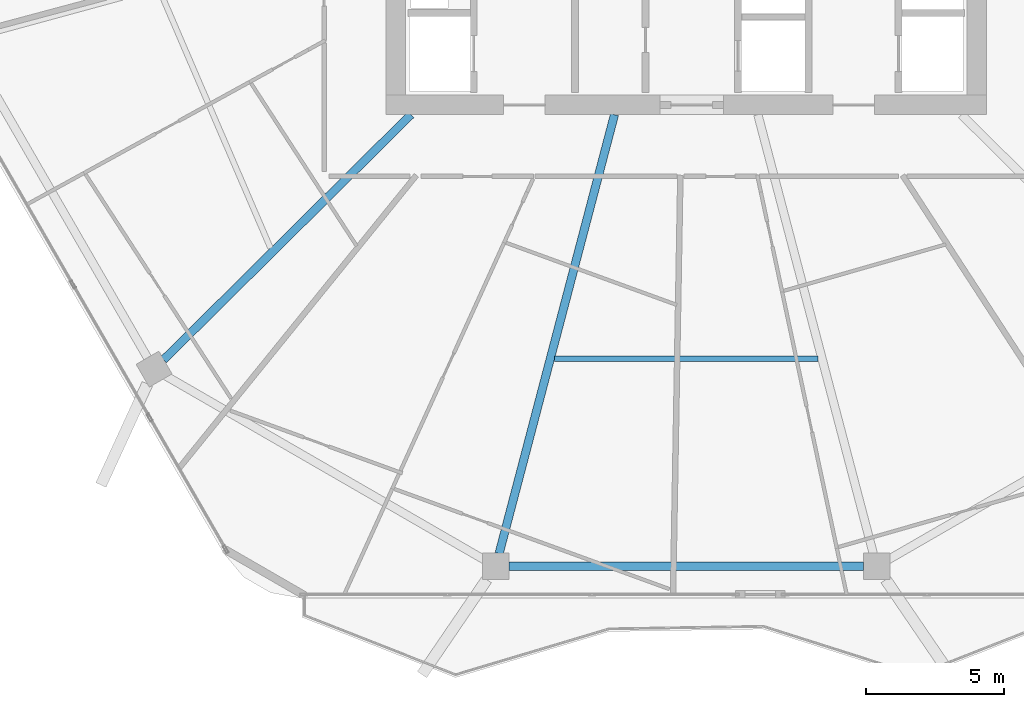
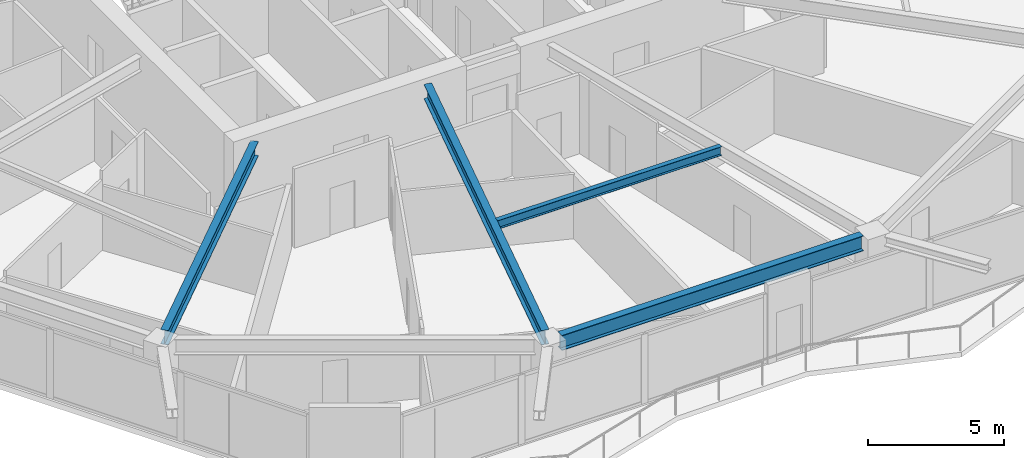
# One storey, part 4 of 27: 4 beams.
"""IFC4 building model written with IfcOpenShell, lengths in metres."""

import ifcopenshell
import ifcopenshell.guid

model = None  # the IFC model being written
_history = None  # IfcOwnerHistory: only IFC2X3 demands one
_inside = {}  # id of a spatial element -> (the spatial element, [elements in it])
_under = {}  # id of a project, library or spatial element -> (it, [spatial elements below it])
_declared = {}  # id of a project -> (the project, [libraries it declares])
_typed = {}  # id of a type object -> (the type object, [elements of that type])
_made_of = {}  # id of a material, layer set ... -> (it, [elements and type objects made of it])


def new_model(schema):
    """Start an empty IFC model of exactly this schema.

    Asked for "IFC4X3", IfcOpenShell would pick the latest addendum, in which some entities
    have other attributes; the version numbers below select the first issue.
    IFC2X3 requires an IfcOwnerHistory on every rooted entity: one is made here for all.
    """
    global model, _history
    if schema == "IFC4X3":
        model = ifcopenshell.file(schema_version=(4, 3, 0, 0))
    else:
        model = ifcopenshell.file(schema=schema)
    _inside.clear()
    _under.clear()
    _declared.clear()
    _typed.clear()
    _made_of.clear()
    _history = None
    if model.schema == "IFC2X3":
        org = make("IfcOrganization", Name="unknown")
        user = make(
            "IfcPersonAndOrganization",
            ThePerson=make("IfcPerson", FamilyName="unknown"),
            TheOrganization=org,
        )
        app = make(
            "IfcApplication",
            ApplicationDeveloper=org,
            Version="unknown",
            ApplicationFullName="unknown",
            ApplicationIdentifier="unknown",
        )
        _history = make(
            "IfcOwnerHistory",
            OwningUser=user,
            OwningApplication=app,
            ChangeAction="ADDED",
            CreationDate=0,
        )
    return model


def make(cls, **values):
    """One entity of the class cls with the attributes given. An attribute that is None is left unset."""
    return model.create_entity(
        cls, **{name: value for name, value in values.items() if value is not None}
    )


def rooted(cls, **values):
    """An entity with a GlobalId (a new one), such as an element, a storey or a relation."""
    return make(cls, GlobalId=ifcopenshell.guid.new(), OwnerHistory=_history, **values)


def si_unit(unit_type, name, prefix=None):
    """IfcSIUnit, for example si_unit("LENGTHUNIT", "METRE", prefix="MILLI")."""
    return make("IfcSIUnit", UnitType=unit_type, Prefix=prefix, Name=name)


def assignment(units):
    """IfcUnitAssignment: the units of a project."""
    return None if units is None else make("IfcUnitAssignment", Units=units)


def point(xyz):
    """IfcCartesianPoint."""
    return None if xyz is None else make("IfcCartesianPoint", Coordinates=xyz)


def direction(xyz):
    """IfcDirection."""
    return None if xyz is None else make("IfcDirection", DirectionRatios=xyz)


def frame(location, z_axis=None, x_axis=None):
    """IfcAxis2Placement3D, a coordinate frame: its origin and axes. An axis left out is left unset."""
    return make(
        "IfcAxis2Placement3D",
        Location=point(location),
        Axis=direction(z_axis),
        RefDirection=direction(x_axis),
    )


def frame_2d(location, x_axis=None):
    """IfcAxis2Placement2D, a coordinate frame in the plane: its origin and x axis."""
    return make(
        "IfcAxis2Placement2D", Location=point(location), RefDirection=direction(x_axis)
    )


def origin():
    """The frame at (0, 0, 0) with its axes left unset."""
    return frame((0.0, 0.0, 0.0))


def origin_2d():
    """The frame at (0, 0) in the plane with its x axis left unset."""
    return frame_2d((0.0, 0.0))


def place(relative_to, where):
    """IfcLocalPlacement: puts the frame where relative to a parent placement (None: the world)."""
    return make(
        "IfcLocalPlacement", PlacementRelTo=relative_to, RelativePlacement=where
    )


def context(
    kind, dimensions, precision=None, world=None, true_north=None, identifier=None
):
    """IfcGeometricRepresentationContext, for example the 3D "Model" context."""
    return make(
        "IfcGeometricRepresentationContext",
        ContextIdentifier=identifier,
        ContextType=kind,
        CoordinateSpaceDimension=dimensions,
        Precision=precision,
        WorldCoordinateSystem=world,
        TrueNorth=true_north,
    )


def subcontext(parent, identifier, kind, view, scale=None):
    """IfcGeometricRepresentationSubContext, for example "Body" below "Model"."""
    return make(
        "IfcGeometricRepresentationSubContext",
        ContextIdentifier=identifier,
        ContextType=kind,
        ParentContext=parent,
        TargetScale=scale,
        TargetView=view,
    )


def project(units=None, contexts=None):
    """IfcProject with its units and contexts."""
    return rooted(
        "IfcProject",
        Name="project",
        RepresentationContexts=contexts,
        UnitsInContext=assignment(units),
    )


def spatial(cls, under=None, at=None, **own):
    """A site, building, storey or space (cls), placed at a placement, below another one or the project."""
    s = rooted(cls, ObjectPlacement=at, **own)
    if under is not None:
        _under.setdefault(under.id(), (under, []))[1].append(s)
    return s


def profile(cls, at=None, kind="AREA", **sizes):
    """A parametric profile (cls). Its sizes go by their IFC names, for example OverallWidth=200.0."""
    return make(cls, ProfileType=kind, Position=at, **sizes)


def i_section(**sizes):
    """IfcIShapeProfileDef."""
    return profile("IfcIShapeProfileDef", **sizes)


def extrude(swept, where, along, depth):
    """IfcExtrudedAreaSolid: the profile swept, set in the frame where, extruded along a direction by depth."""
    return make(
        "IfcExtrudedAreaSolid",
        SweptArea=swept,
        Position=where,
        ExtrudedDirection=direction(along),
        Depth=depth,
    )


def shape(context_of_items, identifier, shape_type, items):
    """IfcShapeRepresentation: the items that make up one representation, for example the "Body"."""
    return make(
        "IfcShapeRepresentation",
        ContextOfItems=context_of_items,
        RepresentationIdentifier=identifier,
        RepresentationType=shape_type,
        Items=items,
    )


def material(Name=None, Category=None):
    """IfcMaterial."""
    return make("IfcMaterial", Name=Name, Category=Category)


def material_profile(
    of_material, cross_section, Name=None, Category=None, Priority=None
):
    """IfcMaterialProfile: a cross section and its material."""
    return make(
        "IfcMaterialProfile",
        Name=Name,
        Material=of_material,
        Profile=cross_section,
        Priority=Priority,
        Category=Category,
    )


def profile_set(profiles, Name=None, composite=None):
    """IfcMaterialProfileSet."""
    return make(
        "IfcMaterialProfileSet",
        Name=Name,
        MaterialProfiles=profiles,
        CompositeProfile=composite,
    )


def made_of(thing, what):
    """Note that an element or type object is made of a material, layer set ...; save() writes the relation."""
    if what is not None:
        _made_of.setdefault(what.id(), (what, []))[1].append(thing)
    return thing


def type_object(cls, material=None, **own):
    """A type object (cls), such as IfcWallType, which elements share."""
    return made_of(rooted(cls, **own), material)


def element(
    cls,
    number,
    at=None,
    inside=None,
    cuts=None,
    type_object=None,
    material=None,
    context=None,
    identifier="Body",
    shape_type=None,
    held_by="IfcProductDefinitionShape",
    body=None,
    shapes=None,
    **own,
):
    """One element of the class cls, such as IfcWall. Its Tag is "e" and its number.

    at: its placement. inside: the storey or other place that contains it. cuts: it is an
    opening in that element (IfcRelVoidsElement). A single representation is given by context,
    identifier, shape_type and body (its items); several are given by shapes. held_by: the class
    of the entity that holds the representations. save() writes the other relations.
    """
    e = rooted(cls, Tag="e%d" % number, ObjectPlacement=at, **own)
    if body is not None:
        shapes = [shape(context, identifier, shape_type, body)]
    if shapes is not None:
        e.Representation = make(held_by, Representations=shapes)
    if inside is not None:
        _inside.setdefault(inside.id(), (inside, []))[1].append(e)
    if cuts is not None:
        rooted(
            "IfcRelVoidsElement", RelatingBuildingElement=cuts, RelatedOpeningElement=e
        )
    if type_object is not None:
        _typed.setdefault(type_object.id(), (type_object, []))[1].append(e)
    return made_of(e, material)


def aggregate(whole, parts):
    """IfcRelAggregates: a whole, such as a stair, and the parts it consists of."""
    return rooted("IfcRelAggregates", RelatingObject=whole, RelatedObjects=parts)


def save(model, path):
    """Write the relations noted so far, then the file.

    IfcRelAggregates (storeys below a building ...), IfcRelContainedInSpatialStructure (elements
    in a storey), IfcRelDefinesByType, IfcRelAssociatesMaterial and IfcRelDeclares: one each for
    every whole, place, type object, material and project.
    """
    for whole, parts in _under.values():
        aggregate(whole, parts)
    for where, things in _inside.values():
        rooted(
            "IfcRelContainedInSpatialStructure",
            RelatedElements=things,
            RelatingStructure=where,
        )
    for kind, things in _typed.values():
        rooted("IfcRelDefinesByType", RelatedObjects=things, RelatingType=kind)
    for what, things in _made_of.values():
        rooted("IfcRelAssociatesMaterial", RelatedObjects=things, RelatingMaterial=what)
    for by, libraries in _declared.values():
        rooted("IfcRelDeclares", RelatingContext=by, RelatedDefinitions=libraries)
    model.write(path)


model = new_model("IFC4")

# Units and contexts
model_context = context("Model", 3, precision=1e-05, world=origin(), true_north=direction((0.0, 1.0)))
body_context = subcontext(model_context, "Body", "Model", "MODEL_VIEW")
ifc_project = project(units=[si_unit("LENGTHUNIT", "METRE"), si_unit("AREAUNIT", "SQUARE_METRE"), si_unit("VOLUMEUNIT", "CUBIC_METRE"), si_unit("PLANEANGLEUNIT", "RADIAN"), si_unit("MASSUNIT", "GRAM", prefix="KILO")], contexts=[model_context])

# Site, building, storey
site_placement = place(None, origin())
site = spatial("IfcSite", under=ifc_project, at=site_placement, CompositionType="ELEMENT")
building_placement = place(site_placement, origin())
building = spatial("IfcBuilding", under=site, at=building_placement, Name="Zuhravey Tower", CompositionType="ELEMENT")
storey_placement = place(building_placement, frame((0.0, 0.0, 218.800048828125)))
storey = spatial("IfcBuildingStorey", under=building, at=storey_placement, Name="L55", CompositionType="ELEMENT", Elevation=218.800048828125)

# Beams
ifc_material = material(Name="Steel SM355", Category="steel")
ifc_material_profile_1 = material_profile(ifc_material, i_section(OverallWidth=0.300048828125, OverallDepth=0.679931640625, WebThickness=0.012939453125, FlangeThickness=0.02197265625, at=origin_2d()), Name="H-680x300x13x22")
ifc_profile_set_1 = profile_set([ifc_material_profile_1], Name="Steel SM355")
beam_type_1 = type_object("IfcBeamType", Name="Perimeter Ring Beam H680x300", PredefinedType="BEAM", material=ifc_profile_set_1)
beam_1_placement = place(storey_placement, frame((29.595947265625, 5.826904296875, 3.2099609375), z_axis=(1.0, 0.0, 0.0), x_axis=(0.0, 1.0, 0.0)))
element("IfcBeam", 1, at=beam_1_placement, inside=storey, type_object=beam_type_1, Name="L55 PB2 BM-L55-PB-09", PredefinedType="BEAM", context=body_context, shape_type="SweptSolid", body=[
    extrude(i_section(OverallWidth=0.300048828125, OverallDepth=0.679931640625, WebThickness=0.012939453125, FlangeThickness=0.02197265625, at=origin_2d()), origin(), (0.0, 0.0, 1.0), 12.80810546875),
])
ifc_material_profile_2 = material_profile(ifc_material, i_section(OverallWidth=0.300048828125, OverallDepth=0.64990234375, WebThickness=0.012939453125, FlangeThickness=0.02197265625, at=origin_2d()), Name="H-650x300x13x22")
ifc_profile_set_2 = profile_set([ifc_material_profile_2], Name="Steel SM355")
beam_type_2 = type_object("IfcBeamType", Name="Radial Primary Girder H650x300", PredefinedType="BEAM", material=ifc_profile_set_2)
beam_2_placement = place(storey_placement, frame((26.054443359375, 22.14697265625, 3.224853515625), z_axis=(-0.710406645816, -0.703791444663, 0.0), x_axis=(0.703791444663, -0.710406645816, 0.0)))
element("IfcBeam", 2, at=beam_2_placement, inside=storey, type_object=beam_type_2, Name="L55 RG2 BM-L55-RAD-08", PredefinedType="BEAM", context=body_context, shape_type="SweptSolid", body=[
    extrude(i_section(OverallWidth=0.300048828125, OverallDepth=0.64990234375, WebThickness=0.012939453125, FlangeThickness=0.02197265625, at=origin_2d()), origin(), (0.0, 0.0, 1.0), 12.5849609375),
])
beam_3_placement = place(storey_placement, frame((33.4091796875, 22.14697265625, 3.224853515625), z_axis=(-0.254299806285, -0.967125435775, 0.0), x_axis=(0.967125435775, -0.254299806285, 0.0)))
element("IfcBeam", 3, at=beam_3_placement, inside=storey, type_object=beam_type_2, Name="L55 RG2 BM-L55-RAD-09", PredefinedType="BEAM", context=body_context, shape_type="SweptSolid", body=[
    extrude(i_section(OverallWidth=0.300048828125, OverallDepth=0.64990234375, WebThickness=0.012939453125, FlangeThickness=0.02197265625, at=origin_2d()), origin(), (0.0, 0.0, 1.0), 16.396728515625),
])
ifc_material_profile_3 = material_profile(ifc_material, i_section(OverallWidth=0.199951171875, OverallDepth=0.39990234375, WebThickness=0.008056640625, FlangeThickness=0.012939453125, at=origin_2d()), Name="H-400x200x8x13")
ifc_profile_set_3 = profile_set([ifc_material_profile_3], Name="Steel SM355")
beam_type_3 = type_object("IfcBeamType", Name="Secondary Floor Joist H400x200", PredefinedType="JOIST", material=ifc_profile_set_3)
beam_4_placement = place(storey_placement, frame((31.245849609375, 13.334228515625, 3.349853515625), z_axis=(1.0, 0.0, 0.0), x_axis=(0.0, 1.0, 0.0)))
element("IfcBeam", 4, at=beam_4_placement, inside=storey, type_object=beam_type_3, Name="L55 SJ2 BM-L55-SJ-09-1", PredefinedType="JOIST", context=body_context, shape_type="SweptSolid", body=[
    extrude(i_section(OverallWidth=0.199951171875, OverallDepth=0.39990234375, WebThickness=0.008056640625, FlangeThickness=0.012939453125, at=origin_2d()), origin(), (0.0, 0.0, 1.0), 9.50830078125),
])

save(model, "model.ifc")
